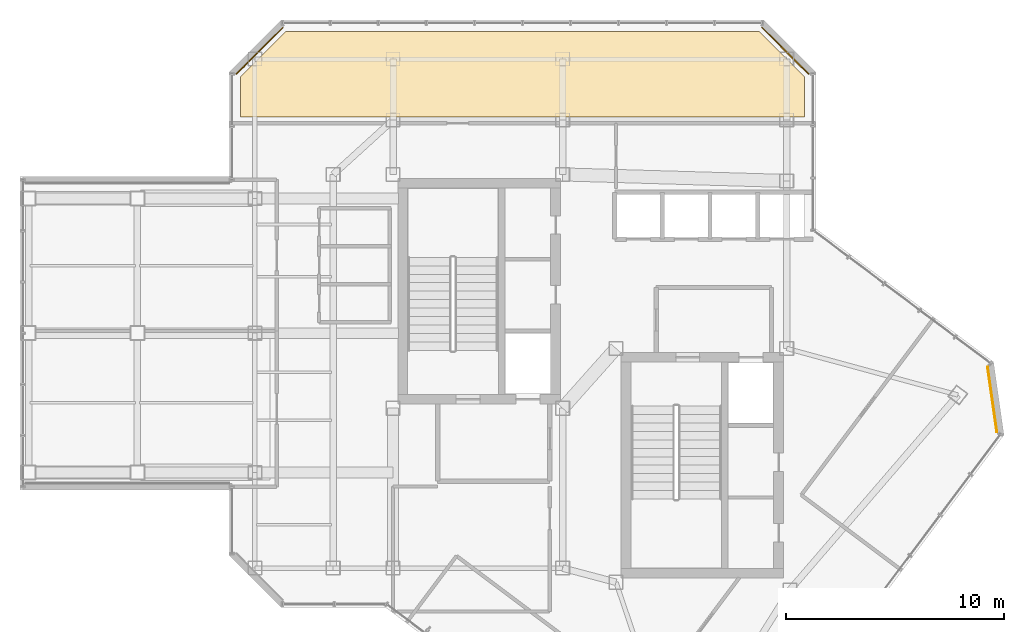
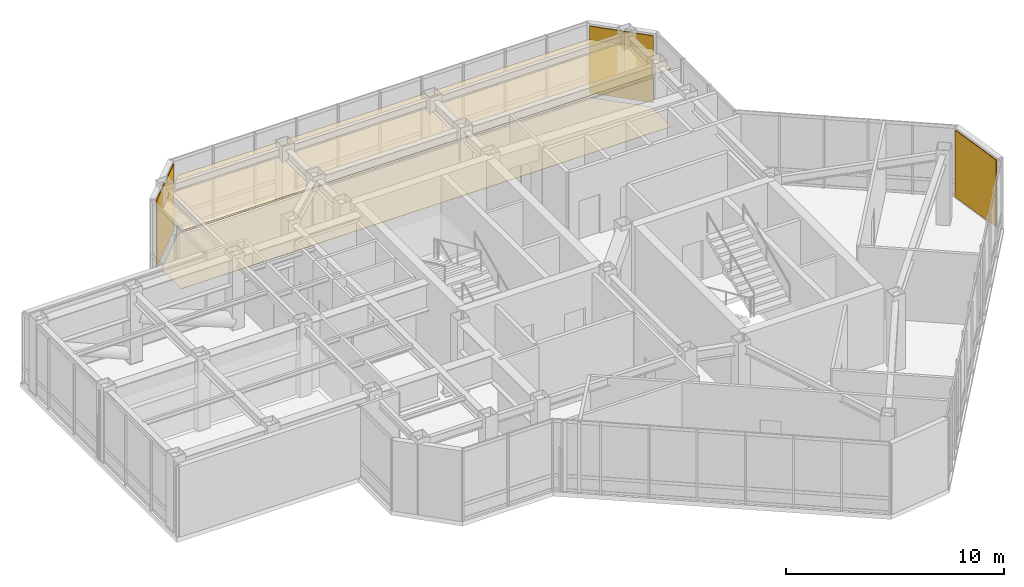
# One storey, part 22 of 22: 5 coverings.
"""IFC4 building model written with IfcOpenShell, lengths in metres."""

from ifc_helpers import new_model, si_unit, direction, frame, origin, origin_2d, place, context, subcontext, project, spatial, polyline, rectangle, outline, extrude, material, layer, layer_set, type_object, element, save


model = new_model("IFC4")

# Units and contexts
model_context = context("Model", 3, precision=1e-05, world=origin(), true_north=direction((0.0, 1.0)))
body_context = subcontext(model_context, "Body", "Model", "MODEL_VIEW")
ifc_project = project(units=[si_unit("LENGTHUNIT", "METRE"), si_unit("AREAUNIT", "SQUARE_METRE"), si_unit("VOLUMEUNIT", "CUBIC_METRE"), si_unit("PLANEANGLEUNIT", "RADIAN"), si_unit("MASSUNIT", "GRAM", prefix="KILO")], contexts=[model_context])

# Site, building, storey
site_placement = place(None, origin())
site = spatial("IfcSite", under=ifc_project, at=site_placement, CompositionType="ELEMENT")
building_placement = place(site_placement, origin())
building = spatial("IfcBuilding", under=site, at=building_placement, Name="Hatsunagi Terrace Concourse", CompositionType="ELEMENT")
storey_placement = place(building_placement, frame((0.0, 0.0, 257.550048828125)))
storey = spatial("IfcBuildingStorey", under=building, at=storey_placement, Name="L68", CompositionType="ELEMENT", Elevation=257.550048828125)

# Coverings
ifc_material_1 = material(Name="Hardwood timber", Category="wood")
ifc_layer_1 = layer(ifc_material_1, 0.014892578125)
ifc_layer_set_1 = layer_set([ifc_layer_1], Name="HardwoodTimberFlooring_15")
covering_type_1 = type_object("IfcCoveringType", Name="HardwoodTimberFlooring_15", PredefinedType="FLOORING", material=ifc_layer_set_1)
covering_1_placement = place(storey_placement, origin())
element("IfcCovering", 1, at=covering_1_placement, inside=storey, type_object=covering_type_1, Name="Finished Flooring L68-1", PredefinedType="FLOORING", context=body_context, shape_type="SweptSolid", body=[
    extrude(outline(polyline([(20.6201171875, 49.8701171875), (18.530029296875, 47.780029296875), (18.530029296875, 45.949951171875), (44.469970703125, 45.949951171875), (44.469970703125, 47.780029296875), (42.3798828125, 49.8701171875), (20.6201171875, 49.8701171875)])), origin(), (0.0, 0.0, 1.0), 0.014892578125),
])
ifc_material_2 = material(Name="Unglazed Warm Terracotta Rainscreen Tile", Category="masonry")
ifc_layer_2 = layer(ifc_material_2, 0.044921875)
ifc_layer_set_2 = layer_set([ifc_layer_2], Name="TerracottaRainscreenCladding_45")
covering_type_2 = type_object("IfcCoveringType", Name="TerracottaRainscreenCladding_45", PredefinedType="CLADDING", material=ifc_layer_set_2)
for number, where, z_axis, x_axis, name in (
    (2, (19.4140625, 48.986083984375, 0.099853515625), (0.0, 0.0, 1.0), (0.707106781187, 0.707106781187, 0.0), "Terracotta Rainscreen Cladding L68-02"),
    (3, (43.5859375, 48.986083984375, 0.099853515625), (0.0, 0.0, 1.0), (0.707106781187, -0.707106781187, 0.0), "Terracotta Rainscreen Cladding L68-04"),
    (4, (53.10107421875, 32.9580078125, 0.099853515625), (0.0, 0.0, 1.0), (0.141250262458, -0.989973920543, 0.0), "Terracotta Rainscreen Cladding L68-07"),
):
    element("IfcCovering", number, at=place(storey_placement, frame(where, z_axis=z_axis, x_axis=x_axis)), inside=storey, type_object=covering_type_2, Name=name, PredefinedType="CLADDING", context=body_context, shape_type="SweptSolid", body=[
        extrude(rectangle(XDim=3.0380859375, YDim=0.044921875, at=origin_2d()), origin(), (0.0, 0.0, 1.0), 3.75),
    ])
ifc_material_3 = material(Name="Hardwood timber", Category="wood")
ifc_layer_3 = layer(ifc_material_3, 0.034912109375)
ifc_layer_set_3 = layer_set([ifc_layer_3], Name="TimberBaffleCeiling_35")
covering_type_3 = type_object("IfcCoveringType", Name="TimberBaffleCeiling_35", PredefinedType="CEILING", material=ifc_layer_set_3)
covering_2_placement = place(storey_placement, frame((0.0, 0.0, 3.22998046875)))
element("IfcCovering", 5, at=covering_2_placement, inside=storey, type_object=covering_type_3, Name="Suspended Ceiling L68-1", PredefinedType="CEILING", context=body_context, shape_type="SweptSolid", body=[
    extrude(outline(polyline([(20.6201171875, 49.8701171875), (18.530029296875, 47.780029296875), (18.530029296875, 45.949951171875), (44.469970703125, 45.949951171875), (44.469970703125, 47.780029296875), (42.3798828125, 49.8701171875), (20.6201171875, 49.8701171875)])), origin(), (0.0, 0.0, 1.0), 0.034912109375),
])

save(model, "model.ifc")
